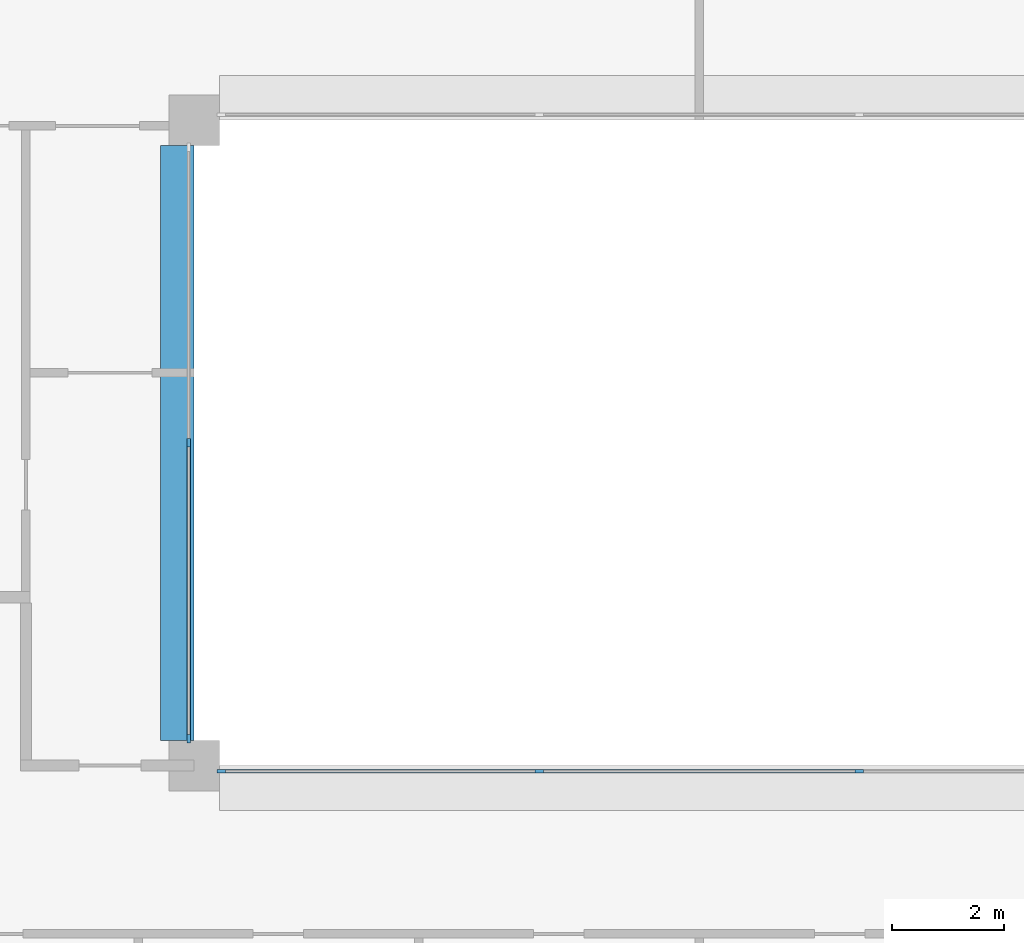
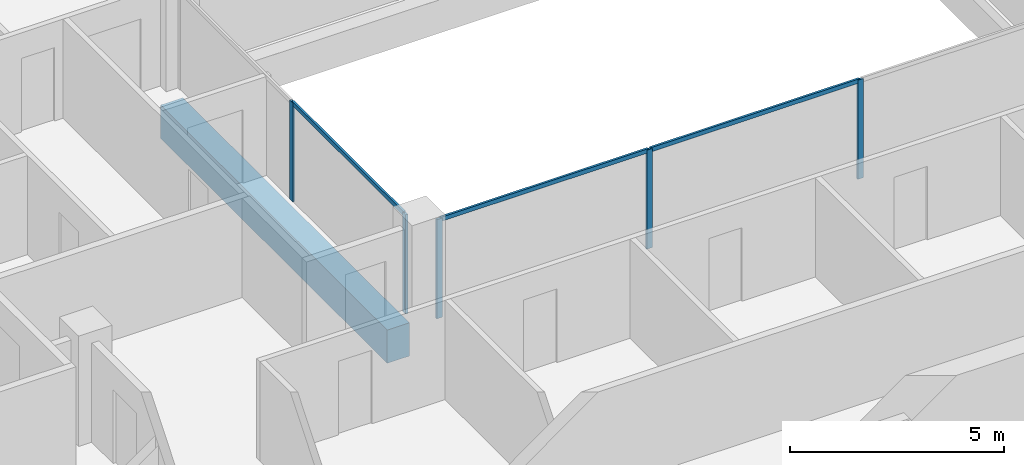
# One storey, part 2 of 15: 8 members, 1 beam, 2 elements without a shape of their own.
"""IFC4 building model written with IfcOpenShell, lengths in metres."""

from ifc_helpers import new_model, si_unit, direction, frame, origin, origin_2d, place, context, subcontext, project, spatial, rectangle, extrude, material, layer, layer_set, material_profile, profile_set, type_object, element, aggregate, save


model = new_model("IFC4")

# Units and contexts
model_context = context("Model", 3, precision=1e-05, world=origin(), true_north=direction((0.0, 1.0)))
body_context = subcontext(model_context, "Body", "Model", "MODEL_VIEW")
ifc_project = project(units=[si_unit("LENGTHUNIT", "METRE"), si_unit("AREAUNIT", "SQUARE_METRE"), si_unit("VOLUMEUNIT", "CUBIC_METRE"), si_unit("PLANEANGLEUNIT", "RADIAN"), si_unit("MASSUNIT", "GRAM", prefix="KILO")], contexts=[model_context])

# Site, building, storey
site_placement = place(None, origin())
site = spatial("IfcSite", under=ifc_project, at=site_placement, CompositionType="ELEMENT")
building_placement = place(site_placement, origin())
building = spatial("IfcBuilding", under=site, at=building_placement, Name="Brigalow Station Residences", CompositionType="ELEMENT")
storey_placement = place(building_placement, frame((0.0, 0.0, 210.60009765625)))
storey = spatial("IfcBuildingStorey", under=building, at=storey_placement, Name="L60", CompositionType="ELEMENT", Elevation=210.60009765625)

# Beam
ifc_material_1 = material(Name="Concrete C65", Category="concrete")
ifc_material_profile_1 = material_profile(ifc_material_1, rectangle(XDim=0.60009765625, YDim=0.949951171875, at=origin_2d()), Name="RC600x950")
ifc_profile_set_1 = profile_set([ifc_material_profile_1], Name="Concrete C65")
beam_type = type_object("IfcBeamType", Name="ATRIUM EDGE GIRDER 600x950 C65", PredefinedType="BEAM", material=ifc_profile_set_1)
beam_placement = place(storey_placement, frame((26.699951171875, 24.449951171875, -0.795166015625), z_axis=(0.0, 1.0, 0.0), x_axis=(-1.0, 0.0, 0.0)))
element("IfcBeam", 1, at=beam_placement, inside=storey, type_object=beam_type, Name="ATRIUM EDGE GIRDER 3 L60", PredefinedType="BEAM", context=body_context, shape_type="SweptSolid", body=[
    extrude(rectangle(XDim=0.60009765625, YDim=0.949951171875, at=origin_2d()), origin(), (0.0, 0.0, 1.0), 10.60009765625),
])

# Curtain wall, members
ifc_material_2 = material(Name="Aluminium", Category="aluminium")
ifc_layer = layer(ifc_material_2, 0.14990234375)
ifc_layer_set = layer_set([ifc_layer], Name="ATRIUM FIRE-RATED GLAZING CURTAIN WALL")
curtain_wall_type = type_object("IfcCurtainWallType", Name="ATRIUM FIRE-RATED GLAZING CURTAIN WALL", PredefinedType="NOTDEFINED", material=ifc_layer_set)
curtain_wall_1_placement = place(storey_placement, origin())
curtain_wall_1 = element("IfcCurtainWall", 2, at=curtain_wall_1_placement, inside=storey, type_object=curtain_wall_type, Name="L60/cw/atrium-S", PredefinedType="NOTDEFINED")
ifc_material_3 = material(Name="Aluminium", Category="aluminium")
ifc_material_profile_2 = material_profile(ifc_material_3, rectangle(XDim=0.06005859375, YDim=0.14990234375, at=origin_2d()), Name="ATRIUM FIRE-RATED GLAZING MULLION 60x150")
ifc_profile_set_2 = profile_set([ifc_material_profile_2], Name="Aluminium")
member_type_1 = type_object("IfcMemberType", Name="ATRIUM FIRE-RATED GLAZING MULLION 60x150", PredefinedType="MULLION", material=ifc_profile_set_2)
member_1_placement = place(storey_placement, frame((27.47998046875, 23.89990234375, 0.0), z_axis=(0.0, 0.0, 1.0), x_axis=(0.0, 1.0, 0.0)))
member_1 = element("IfcMember", 3, at=member_1_placement, type_object=member_type_1, Name="L60/cw/atrium-S/M00", PredefinedType="MULLION", context=body_context, shape_type="SweptSolid", body=[
    extrude(rectangle(XDim=0.06005859375, YDim=0.14990234375, at=origin_2d()), origin(), (0.0, 0.0, 1.0), 2.829833984375),
])
member_2_placement = place(storey_placement, frame((33.14990234375, 23.89990234375, 0.0), z_axis=(0.0, 0.0, 1.0), x_axis=(0.0, 1.0, 0.0)))
member_2 = element("IfcMember", 4, at=member_2_placement, type_object=member_type_1, Name="L60/cw/atrium-S/M01", PredefinedType="MULLION", context=body_context, shape_type="SweptSolid", body=[
    extrude(rectangle(XDim=0.06005859375, YDim=0.14990234375, at=origin_2d()), origin(), (0.0, 0.0, 1.0), 2.829833984375),
])
member_3_placement = place(storey_placement, frame((38.85009765625, 23.89990234375, 0.0), z_axis=(0.0, 0.0, 1.0), x_axis=(0.0, 1.0, 0.0)))
member_3 = element("IfcMember", 5, at=member_3_placement, type_object=member_type_1, Name="L60/cw/atrium-S/M02", PredefinedType="MULLION", context=body_context, shape_type="SweptSolid", body=[
    extrude(rectangle(XDim=0.06005859375, YDim=0.14990234375, at=origin_2d()), origin(), (0.0, 0.0, 1.0), 2.829833984375),
])

curtain_wall_2_placement = place(storey_placement, origin())
curtain_wall_2 = element("IfcCurtainWall", 6, at=curtain_wall_2_placement, inside=storey, type_object=curtain_wall_type, Name="L60/cw/atrium-W", PredefinedType="NOTDEFINED")
member_4_placement = place(storey_placement, frame((26.89990234375, 29.75, 0.0), z_axis=(0.0, 0.0, 1.0), x_axis=(1.0, 0.0, 0.0)))
member_4 = element("IfcMember", 7, at=member_4_placement, type_object=member_type_1, Name="L60/cw/atrium-W/M01", PredefinedType="MULLION", context=body_context, shape_type="SweptSolid", body=[
    extrude(rectangle(XDim=0.06005859375, YDim=0.14990234375, at=origin_2d()), origin(), (0.0, 0.0, 1.0), 2.829833984375),
])
member_5_placement = place(storey_placement, frame((26.89990234375, 24.47998046875, 0.0), z_axis=(0.0, 0.0, 1.0), x_axis=(1.0, 0.0, 0.0)))
member_5 = element("IfcMember", 8, at=member_5_placement, type_object=member_type_1, Name="L60/cw/atrium-W/M02", PredefinedType="MULLION", context=body_context, shape_type="SweptSolid", body=[
    extrude(rectangle(XDim=0.06005859375, YDim=0.14990234375, at=origin_2d()), origin(), (0.0, 0.0, 1.0), 2.829833984375),
])

# Member
ifc_material_4 = material(Name="Aluminium", Category="aluminium")
ifc_material_profile_3 = material_profile(ifc_material_4, rectangle(XDim=0.06005859375, YDim=0.1201171875, at=origin_2d()), Name="ATRIUM FIRE-RATED GLAZING TRANSOM 60x120")
ifc_profile_set_3 = profile_set([ifc_material_profile_3], Name="Aluminium")
member_type_2 = type_object("IfcMemberType", Name="ATRIUM FIRE-RATED GLAZING TRANSOM 60x120", PredefinedType="USERDEFINED", material=ifc_profile_set_3)
member_6_placement = place(storey_placement, frame((27.510009765625, 23.89990234375, 2.7998046875), z_axis=(1.0, 0.0, 0.0), x_axis=(0.0, 1.0, 0.0)))
member_6 = element("IfcMember", 9, at=member_6_placement, type_object=member_type_2, Name="L60/cw/atrium-S/T00-00", ObjectType="TRANSOM", PredefinedType="USERDEFINED", context=body_context, shape_type="SweptSolid", body=[
    extrude(rectangle(XDim=0.06005859375, YDim=0.1201171875, at=origin_2d()), origin(), (0.0, 0.0, 1.0), 5.610107421875),
])

member_7_placement = place(storey_placement, frame((33.179931640625, 23.89990234375, 2.7998046875), z_axis=(1.0, 0.0, 0.0), x_axis=(0.0, 1.0, 0.0)))
member_7 = element("IfcMember", 10, at=member_7_placement, type_object=member_type_2, Name="L60/cw/atrium-S/T01-00", ObjectType="TRANSOM", PredefinedType="USERDEFINED", context=body_context, shape_type="SweptSolid", body=[
    extrude(rectangle(XDim=0.06005859375, YDim=0.1201171875, at=origin_2d()), origin(), (0.0, 0.0, 1.0), 5.64013671875),
])

aggregate(curtain_wall_1, [member_1, member_2, member_3, member_6, member_7])

member_8_placement = place(storey_placement, frame((26.89990234375, 29.719970703125, 2.7998046875), z_axis=(0.0, -1.0, 0.0), x_axis=(1.0, 0.0, 0.0)))
member_8 = element("IfcMember", 11, at=member_8_placement, type_object=member_type_2, Name="L60/cw/atrium-W/T01-00", ObjectType="TRANSOM", PredefinedType="USERDEFINED", context=body_context, shape_type="SweptSolid", body=[
    extrude(rectangle(XDim=0.06005859375, YDim=0.1201171875, at=origin_2d()), origin(), (0.0, 0.0, 1.0), 5.2099609375),
])

aggregate(curtain_wall_2, [member_4, member_5, member_8])

save(model, "model.ifc")
